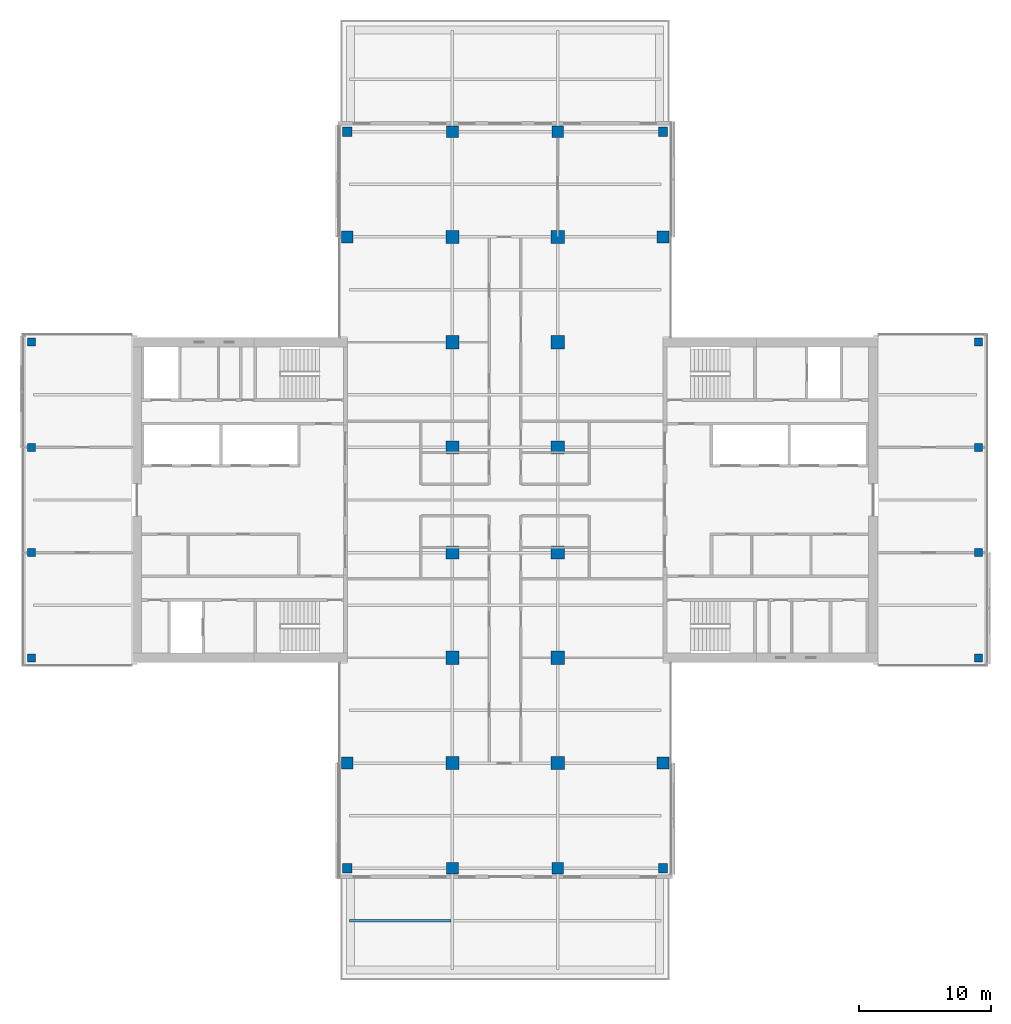
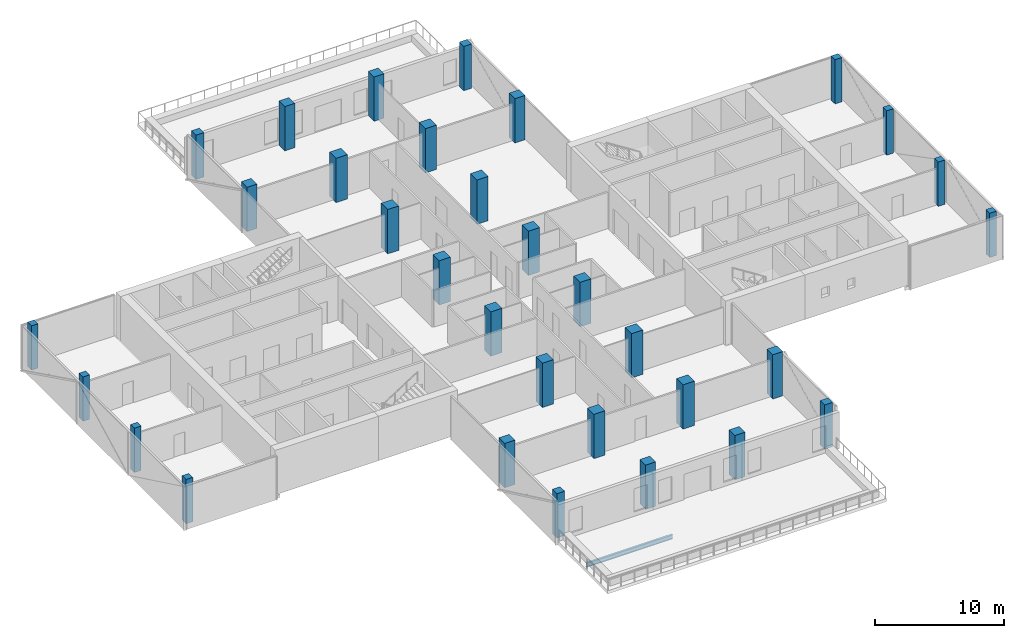
# One storey, part 1 of 24: 32 columns, 1 beam.
"""IFC4 building model written with IfcOpenShell, lengths in metres."""

from ifc_helpers import new_model, si_unit, direction, frame, origin, origin_2d, place, context, subcontext, project, spatial, rectangle, i_section, extrude, material, material_profile, profile_set, type_object, element, save


model = new_model("IFC4")

# Units and contexts
model_context = context("Model", 3, precision=1e-05, world=origin(), true_north=direction((0.0, 1.0)))
body_context = subcontext(model_context, "Body", "Model", "MODEL_VIEW")
ifc_project = project(units=[si_unit("LENGTHUNIT", "METRE"), si_unit("AREAUNIT", "SQUARE_METRE"), si_unit("VOLUMEUNIT", "CUBIC_METRE"), si_unit("PLANEANGLEUNIT", "RADIAN"), si_unit("MASSUNIT", "GRAM", prefix="KILO")], contexts=[model_context])

# Site, building, storey
site_placement = place(None, origin())
site = spatial("IfcSite", under=ifc_project, at=site_placement, CompositionType="ELEMENT")
building_placement = place(site_placement, origin())
building = spatial("IfcBuilding", under=site, at=building_placement, Name="Crosswind Convention Tower", CompositionType="ELEMENT")
storey_placement = place(building_placement, frame((0.0, 0.0, 112.699951171875)))
storey = spatial("IfcBuildingStorey", under=building, at=storey_placement, Name="L22", CompositionType="ELEMENT", Elevation=112.699951171875)

# Columns
ifc_material_1 = material(Name="Concrete C70/85", Category="concrete")
ifc_material_profile_1 = material_profile(ifc_material_1, rectangle(XDim=1.0, YDim=1.0, at=origin_2d()), Name="RC 1000X1000")
ifc_profile_set_1 = profile_set([ifc_material_profile_1], Name="Concrete C70/85")
column_type_1 = type_object("IfcColumnType", Name="Column RC 1000X1000", PredefinedType="COLUMN", material=ifc_profile_set_1)
for number, where, z_axis, x_axis, name in (
    (1, (121.0, 80.0, 0.0), (0.0, 0.0, 1.0), (1.0, 0.0, 0.0), "C12 L22 6/D"),
    (2, (121.0, 88.0, 0.0), (0.0, 0.0, 1.0), (1.0, 0.0, 0.0), "C12 L22 6/E"),
    (3, (121.0, 96.0, 0.0), (0.0, 0.0, 1.0), (1.0, 0.0, 0.0), "C12 L22 6/F"),
    (4, (121.0, 104.0, 0.0), (0.0, 0.0, 1.0), (1.0, 0.0, 0.0), "C12 L22 6/G"),
    (5, (121.0, 112.0, 0.0), (0.0, 0.0, 1.0), (1.0, 0.0, 0.0), "C12 L22 6/H"),
    (6, (121.0, 120.0, 0.0), (0.0, 0.0, 1.0), (1.0, 0.0, 0.0), "C12 L22 6/I"),
    (7, (129.0, 80.0, 0.0), (0.0, 0.0, 1.0), (1.0, 0.0, 0.0), "C12 L22 7/D"),
    (8, (129.0, 88.0, 0.0), (0.0, 0.0, 1.0), (1.0, 0.0, 0.0), "C12 L22 7/E"),
    (9, (129.0, 96.0, 0.0), (0.0, 0.0, 1.0), (1.0, 0.0, 0.0), "C12 L22 7/F"),
    (10, (129.0, 104.0, 0.0), (0.0, 0.0, 1.0), (1.0, 0.0, 0.0), "C12 L22 7/G"),
    (11, (129.0, 112.0, 0.0), (0.0, 0.0, 1.0), (1.0, 0.0, 0.0), "C12 L22 7/H"),
    (12, (129.0, 120.0, 0.0), (0.0, 0.0, 1.0), (1.0, 0.0, 0.0), "C12 L22 7/I"),
):
    element("IfcColumn", number, at=place(storey_placement, frame(where, z_axis=z_axis, x_axis=x_axis)), inside=storey, type_object=column_type_1, Name=name, PredefinedType="COLUMN", context=body_context, shape_type="SweptSolid", body=[
        extrude(rectangle(XDim=1.0, YDim=1.0, at=origin_2d()), origin(), (0.0, 0.0, 1.0), 4.199951171875),
    ])
ifc_material_2 = material(Name="Concrete C60/75", Category="concrete")
ifc_material_profile_2 = material_profile(ifc_material_2, rectangle(XDim=0.60009765625, YDim=0.60009765625, at=origin_2d()), Name="RC 600X600")
ifc_profile_set_2 = profile_set([ifc_material_profile_2], Name="Concrete C60/75")
column_type_2 = type_object("IfcColumnType", Name="Column RC 600X600", PredefinedType="COLUMN", material=ifc_profile_set_2)
for number, where, z_axis, x_axis, name in (
    (13, (89.0, 88.0, 0.0), (0.0, 0.0, 1.0), (1.0, 0.0, 0.0), "C16 L22 2/E"),
    (14, (89.0, 96.0, 0.0), (0.0, 0.0, 1.0), (1.0, 0.0, 0.0), "C16 L22 2/F"),
    (15, (89.0, 104.0, 0.0), (0.0, 0.0, 1.0), (1.0, 0.0, 0.0), "C16 L22 2/G"),
    (16, (89.0, 112.0, 0.0), (0.0, 0.0, 1.0), (1.0, 0.0, 0.0), "C16 L22 2/H"),
    (17, (161.0, 88.0, 0.0), (0.0, 0.0, 1.0), (1.0, 0.0, 0.0), "C16 L22 11/E"),
    (18, (161.0, 96.0, 0.0), (0.0, 0.0, 1.0), (1.0, 0.0, 0.0), "C16 L22 11/F"),
    (19, (161.0, 104.0, 0.0), (0.0, 0.0, 1.0), (1.0, 0.0, 0.0), "C16 L22 11/G"),
    (20, (161.0, 112.0, 0.0), (0.0, 0.0, 1.0), (1.0, 0.0, 0.0), "C16 L22 11/H"),
):
    element("IfcColumn", number, at=place(storey_placement, frame(where, z_axis=z_axis, x_axis=x_axis)), inside=storey, type_object=column_type_2, Name=name, PredefinedType="COLUMN", context=body_context, shape_type="SweptSolid", body=[
        extrude(rectangle(XDim=0.60009765625, YDim=0.60009765625, at=origin_2d()), origin(), (0.0, 0.0, 1.0), 4.199951171875),
    ])
ifc_material_profile_3 = material_profile(ifc_material_2, rectangle(XDim=0.699951171875, YDim=0.699951171875, at=origin_2d()), Name="RC 700X700")
ifc_profile_set_3 = profile_set([ifc_material_profile_3], Name="Concrete C60/75")
column_type_3 = type_object("IfcColumnType", Name="Column RC 700X700", PredefinedType="COLUMN", material=ifc_profile_set_3)
for number, where, z_axis, x_axis, name in (
    (21, (113.0, 72.0, 0.0), (0.0, 0.0, 1.0), (1.0, 0.0, 0.0), "C15 L22 5/C"),
    (22, (113.0, 128.0, 0.0), (0.0, 0.0, 1.0), (1.0, 0.0, 0.0), "C15 L22 5/J"),
    (23, (137.0, 72.0, 0.0), (0.0, 0.0, 1.0), (1.0, 0.0, 0.0), "C15 L22 8/C"),
    (24, (137.0, 128.0, 0.0), (0.0, 0.0, 1.0), (1.0, 0.0, 0.0), "C15 L22 8/J"),
):
    element("IfcColumn", number, at=place(storey_placement, frame(where, z_axis=z_axis, x_axis=x_axis)), inside=storey, type_object=column_type_3, Name=name, PredefinedType="COLUMN", context=body_context, shape_type="SweptSolid", body=[
        extrude(rectangle(XDim=0.699951171875, YDim=0.699951171875, at=origin_2d()), origin(), (0.0, 0.0, 1.0), 4.199951171875),
    ])
ifc_material_profile_4 = material_profile(ifc_material_2, rectangle(XDim=0.89990234375, YDim=0.89990234375, at=origin_2d()), Name="RC 900X900")
ifc_profile_set_4 = profile_set([ifc_material_profile_4], Name="Concrete C60/75")
column_type_4 = type_object("IfcColumnType", Name="Column RC 900X900", PredefinedType="COLUMN", material=ifc_profile_set_4)
for number, where, z_axis, x_axis, name in (
    (25, (113.0, 80.0, 0.0), (0.0, 0.0, 1.0), (1.0, 0.0, 0.0), "C13 L22 5/D"),
    (26, (113.0, 120.0, 0.0), (0.0, 0.0, 1.0), (1.0, 0.0, 0.0), "C13 L22 5/I"),
    (27, (121.0, 72.0, 0.0), (0.0, 0.0, 1.0), (1.0, 0.0, 0.0), "C13 L22 6/C"),
    (28, (121.0, 128.0, 0.0), (0.0, 0.0, 1.0), (1.0, 0.0, 0.0), "C13 L22 6/J"),
    (29, (129.0, 72.0, 0.0), (0.0, 0.0, 1.0), (1.0, 0.0, 0.0), "C13 L22 7/C"),
    (30, (129.0, 128.0, 0.0), (0.0, 0.0, 1.0), (1.0, 0.0, 0.0), "C13 L22 7/J"),
    (31, (137.0, 80.0, 0.0), (0.0, 0.0, 1.0), (1.0, 0.0, 0.0), "C13 L22 8/D"),
    (32, (137.0, 120.0, 0.0), (0.0, 0.0, 1.0), (1.0, 0.0, 0.0), "C13 L22 8/I"),
):
    element("IfcColumn", number, at=place(storey_placement, frame(where, z_axis=z_axis, x_axis=x_axis)), inside=storey, type_object=column_type_4, Name=name, PredefinedType="COLUMN", context=body_context, shape_type="SweptSolid", body=[
        extrude(rectangle(XDim=0.89990234375, YDim=0.89990234375, at=origin_2d()), origin(), (0.0, 0.0, 1.0), 4.199951171875),
    ])

# Beam
ifc_material_3 = material(Name="Steel S355", Category="steel")
ifc_material_profile_5 = material_profile(ifc_material_3, i_section(OverallWidth=0.177734375, OverallDepth=0.406494140625, WebThickness=0.0078125, FlangeThickness=0.0126953125, FilletRadius=0.01025390625, at=origin_2d()), Name="UB 406x178x60")
ifc_profile_set_5 = profile_set([ifc_material_profile_5], Name="Steel S355")
beam_type = type_object("IfcBeamType", Name="Secondary beam UB 406x178x60", PredefinedType="JOIST", material=ifc_profile_set_5)
beam_placement = place(storey_placement, frame((113.156982421875, 68.0, -0.503173828125), z_axis=(1.0, 0.0, 0.0), x_axis=(0.0, 1.0, 0.0)))
element("IfcBeam", 33, at=beam_placement, inside=storey, type_object=beam_type, Name="B10 L22 secondary beam 7", PredefinedType="JOIST", context=body_context, shape_type="SweptSolid", body=[
    extrude(i_section(OverallWidth=0.177734375, OverallDepth=0.406494140625, WebThickness=0.0078125, FlangeThickness=0.0126953125, FilletRadius=0.01025390625, at=origin_2d()), origin(), (0.0, 0.0, 1.0), 7.747314453125),
])

save(model, "model.ifc")
